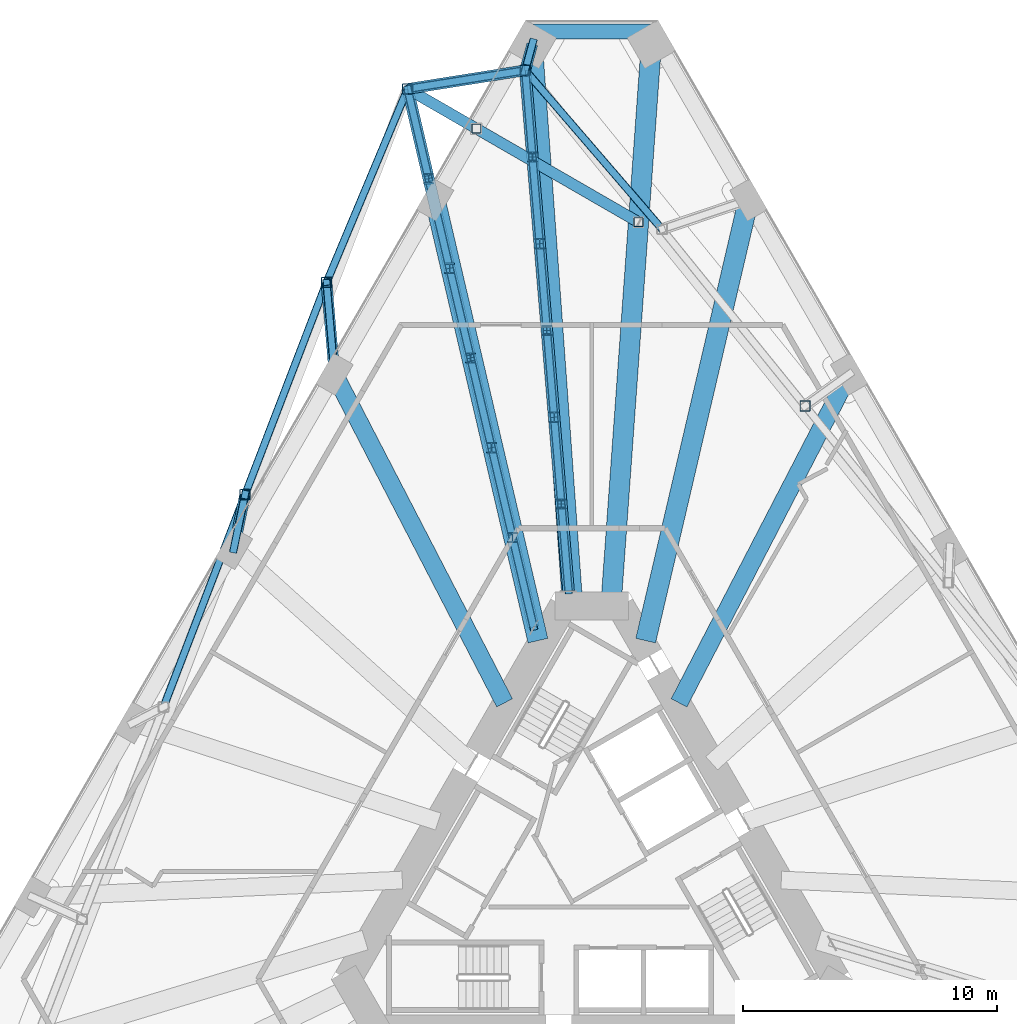
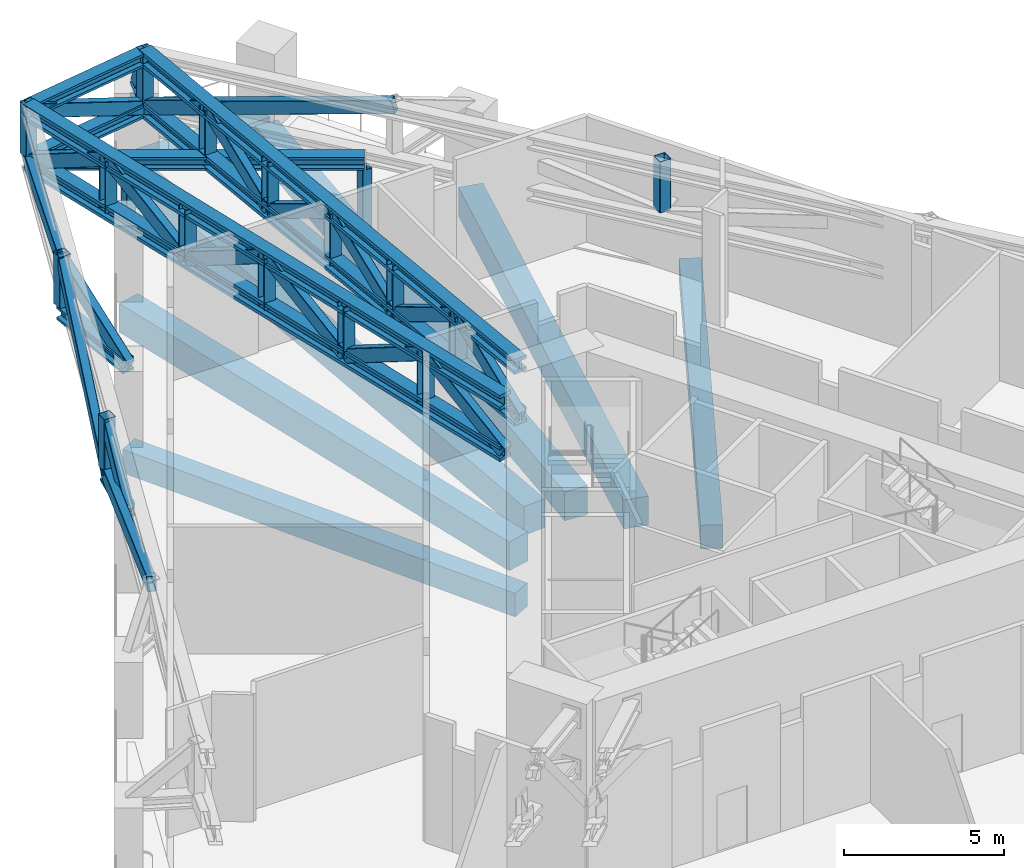
# One storey, part 8 of 20: 47 members, 7 beams.
"""IFC4 building model written with IfcOpenShell, lengths in metres."""

from ifc_helpers import new_model, si_unit, direction, frame, origin, origin_2d, place, context, subcontext, project, spatial, rectangle, hollow_rectangle, i_section, extrude, material, material_profile, profile_set, type_object, element, save


model = new_model("IFC4")

# Units and contexts
model_context = context("Model", 3, precision=1e-05, world=origin(), true_north=direction((0.0, 1.0)))
body_context = subcontext(model_context, "Body", "Model", "MODEL_VIEW")
ifc_project = project(units=[si_unit("LENGTHUNIT", "METRE"), si_unit("AREAUNIT", "SQUARE_METRE"), si_unit("VOLUMEUNIT", "CUBIC_METRE"), si_unit("PLANEANGLEUNIT", "RADIAN"), si_unit("MASSUNIT", "GRAM", prefix="KILO")], contexts=[model_context])

# Site, building, storey
site_placement = place(None, origin())
site = spatial("IfcSite", under=ifc_project, at=site_placement, CompositionType="ELEMENT")
building_placement = place(site_placement, origin())
building = spatial("IfcBuilding", under=site, at=building_placement, Name="Tramontana Tower", CompositionType="ELEMENT")
storey_placement = place(building_placement, frame((0.0, 0.0, 46.0)))
storey = spatial("IfcBuildingStorey", under=building, at=storey_placement, Name="L09", CompositionType="ELEMENT", Elevation=46.0)

# Members
ifc_material_1 = material(Name="Steel ASTM A500 Grade C", Category="steel")
ifc_material_profile_1 = material_profile(ifc_material_1, hollow_rectangle(XDim=0.406494140625, YDim=0.406494140625, WallThickness=0.0146484375, InnerFilletRadius=0.0146484375, OuterFilletRadius=0.029541015625, at=origin_2d()), Name="HSS16X16X5/8")
ifc_profile_set_1 = profile_set([ifc_material_profile_1], Name="Steel ASTM A500 Grade C")
member_type_1 = type_object("IfcMemberType", Name="Belt truss HSS16X16X5/8 post", PredefinedType="POST", material=ifc_profile_set_1)
for number, where, z_axis, x_axis, name in (
    (1, (-7.24755859375, 30.7890625, 2.8984375), (0.0, 0.0, 1.0), (1.0, 0.0, 0.0), "Belt truss post C1K1"),
    (2, (-10.43701171875, 23.177490234375, 2.8984375), (0.0, 0.0, 1.0), (1.0, 0.0, 0.0), "Belt truss post C1F01"),
    (3, (-13.64404296875, 14.822998046875, 2.8984375), (0.0, 0.0, 1.0), (1.0, 0.0, 0.0), "Belt truss post C1F02"),
    (4, (8.395751953125, 18.31396484375, 2.8984375), (0.0, 0.0, 1.0), (1.0, 0.0, 0.0), "Belt truss post C1F14"),
    (5, (-2.62158203125, 31.521728515625, 2.8984375), (0.0, 0.0, 1.0), (1.0, 0.0, 0.0), "Belt truss post C1K6"),
):
    element("IfcMember", number, at=place(storey_placement, frame(where, z_axis=z_axis, x_axis=x_axis)), inside=storey, type_object=member_type_1, Name=name, PredefinedType="POST", context=body_context, shape_type="SweptSolid", body=[
        extrude(hollow_rectangle(XDim=0.406494140625, YDim=0.406494140625, WallThickness=0.0146484375, InnerFilletRadius=0.0146484375, OuterFilletRadius=0.029541015625, at=origin_2d()), origin(), (0.0, 0.0, 1.0), 1.95166015625),
    ])
ifc_material_2 = material(Name="Steel ASTM A500 Grade C", Category="steel")
ifc_material_profile_2 = material_profile(ifc_material_2, hollow_rectangle(XDim=0.3046875, YDim=0.508056640625, WallThickness=0.0146484375, InnerFilletRadius=0.0146484375, OuterFilletRadius=0.029541015625, at=origin_2d()), Name="HSS20X12X5/8")
ifc_profile_set_2 = profile_set([ifc_material_profile_2], Name="Steel ASTM A500 Grade C")
member_type_2 = type_object("IfcMemberType", Name="Belt truss HSS20X12X5/8 brace", PredefinedType="BRACE", material=ifc_profile_set_2)
member_1_placement = place(storey_placement, frame((-7.24755859375, 30.7890625, 2.649169921875), z_axis=(-0.376095872753, -0.897546006187, 0.230137048897), x_axis=(0.922302231451, -0.386469395762, 0.0)))
element("IfcMember", 6, at=member_1_placement, inside=storey, type_object=member_type_2, Name="Belt truss diagonal S0.1", PredefinedType="BRACE", context=body_context, shape_type="SweptSolid", body=[
    extrude(hollow_rectangle(XDim=0.3046875, YDim=0.508056640625, WallThickness=0.0146484375, InnerFilletRadius=0.0146484375, OuterFilletRadius=0.029541015625, at=origin_2d()), origin(), (0.0, 0.0, 1.0), 8.48046875),
])
for number, where, z_axis, x_axis, name in (
    (7, (-10.43701171875, 23.177490234375, 4.600830078125), (-0.350141864286, -0.912138748163, -0.213081155839), (0.933578849976, -0.358372056496, 0.0), "Belt truss diagonal S0.2"),
    (8, (-13.64404296875, 14.822998046875, 2.649169921875), (-0.350141864286, -0.912138748163, 0.213081155839), (0.933578849976, -0.358372056496, 0.0), "Belt truss diagonal S0.3"),
):
    element("IfcMember", number, at=place(storey_placement, frame(where, z_axis=z_axis, x_axis=x_axis)), inside=storey, type_object=member_type_2, Name=name, PredefinedType="BRACE", context=body_context, shape_type="SweptSolid", body=[
        extrude(hollow_rectangle(XDim=0.3046875, YDim=0.508056640625, WallThickness=0.0146484375, InnerFilletRadius=0.0146484375, OuterFilletRadius=0.029541015625, at=origin_2d()), origin(), (0.0, 0.0, 1.0), 9.1591796875),
    ])
member_2_placement = place(storey_placement, frame((2.763916015625, 25.2685546875, 4.600830078125), z_axis=(-0.635063111231, 0.737380274172, -0.230141643374), x_axis=(-0.757719634347, -0.652580229339, 0.0)))
element("IfcMember", 9, at=member_2_placement, inside=storey, type_object=member_type_2, Name="Belt truss diagonal S2.6", PredefinedType="BRACE", context=body_context, shape_type="SweptSolid", body=[
    extrude(hollow_rectangle(XDim=0.3046875, YDim=0.508056640625, WallThickness=0.0146484375, InnerFilletRadius=0.0146484375, OuterFilletRadius=0.029541015625, at=origin_2d()), origin(), (0.0, 0.0, 1.0), 8.480224609375),
])
member_3_placement = place(storey_placement, frame((-2.62158203125, 31.521728515625, 2.649169921875), z_axis=(-0.911702829125, -0.144396252386, 0.384639667301), x_axis=(0.156430988111, -0.98768889128, 0.0)))
element("IfcMember", 10, at=member_3_placement, inside=storey, type_object=member_type_2, Name="Belt truss diagonal K0.1", PredefinedType="BRACE", context=body_context, shape_type="SweptSolid", body=[
    extrude(hollow_rectangle(XDim=0.3046875, YDim=0.508056640625, WallThickness=0.0146484375, InnerFilletRadius=0.0146484375, OuterFilletRadius=0.029541015625, at=origin_2d()), origin(), (0.0, 0.0, 1.0), 5.073974609375),
])
ifc_material_3 = material(Name="Steel ASTM A992 Grade 50", Category="steel")
ifc_material_profile_3 = material_profile(ifc_material_3, i_section(OverallWidth=0.431884765625, OverallDepth=0.49853515625, WebThickness=0.0556640625, FlangeThickness=0.0888671875, FilletRadius=0.01513671875, at=origin_2d()), Name="W14X500")
ifc_profile_set_3 = profile_set([ifc_material_profile_3], Name="Steel ASTM A992 Grade 50")
member_type_3 = type_object("IfcMemberType", Name="Belt truss W14X500 chord", PredefinedType="CHORD", material=ifc_profile_set_3)
for number, where, z_axis, x_axis, name in (
    (11, (-2.62158203125, 31.521728515625, 2.649169921875), (-0.98768889128, -0.156430988111, 0.0), (0.156430988111, -0.98768889128, 0.0), "Belt truss bottom chord K0"),
    (12, (-2.62158203125, 31.521728515625, 4.600830078125), (-0.98768889128, -0.156430988111, 0.0), (0.156430988111, -0.98768889128, 0.0), "Belt truss top chord K0"),
):
    element("IfcMember", number, at=place(storey_placement, frame(where, z_axis=z_axis, x_axis=x_axis)), inside=storey, type_object=member_type_3, Name=name, PredefinedType="CHORD", context=body_context, shape_type="SweptSolid", body=[
        extrude(i_section(OverallWidth=0.431884765625, OverallDepth=0.49853515625, WebThickness=0.0556640625, FlangeThickness=0.0888671875, FilletRadius=0.01513671875, at=origin_2d()), origin(), (0.0, 0.0, 1.0), 4.68359375),
    ])

# Beams
ifc_material_4 = material(Name="Concrete 40 MPa", Category="concrete")
ifc_material_profile_4 = material_profile(ifc_material_4, rectangle(XDim=0.60009765625, YDim=0.35009765625, at=origin_2d()), Name="RC EDGE BEAM 600X350 40 MPa")
ifc_profile_set_4 = profile_set([ifc_material_profile_4], Name="Concrete 40 MPa")
beam_type_1 = type_object("IfcBeamType", Name="RC EDGE BEAM 600X350 40 MPa", PredefinedType="SPANDREL", material=ifc_profile_set_4)
beam_1_placement = place(storey_placement, frame((2.59814453125, 33.050048828125, -0.52490234375), z_axis=(-1.0, 0.0, 0.0), x_axis=(0.0, -1.0, 0.0)))
element("IfcBeam", 13, at=beam_1_placement, inside=storey, type_object=beam_type_1, Name="Spandrel beam K0 L09", PredefinedType="SPANDREL", context=body_context, shape_type="SweptSolid", body=[
    extrude(rectangle(XDim=0.60009765625, YDim=0.35009765625, at=origin_2d()), origin(), (0.0, 0.0, 1.0), 5.1962890625),
])
ifc_material_5 = material(Name="Concrete 40 MPa", Category="concrete")
ifc_material_profile_5 = material_profile(ifc_material_5, rectangle(XDim=0.699951171875, YDim=0.89990234375, at=origin_2d()), Name="RC GIRDER 700X900 40 MPa")
ifc_profile_set_5 = profile_set([ifc_material_profile_5], Name="Concrete 40 MPa")
beam_type_2 = type_object("IfcBeamType", Name="RC GIRDER 700X900 40 MPa", PredefinedType="BEAM", material=ifc_profile_set_5)
for number, where, z_axis, x_axis, name in (
    (14, (-10.126220703125, 19.560791015625, -0.800048828125), (0.459730770714, -0.88805834181, 0.0), (0.88805834181, 0.459730770714, 0.0), "Radial girder C0F02 L09"),
    (15, (10.126220703125, 19.560791015625, -0.800048828125), (-0.459730770714, -0.88805834181, 0.0), (0.88805834181, -0.459730770714, 0.0), "Radial girder C0F17 L09"),
):
    element("IfcBeam", number, at=place(storey_placement, frame(where, z_axis=z_axis, x_axis=x_axis)), inside=storey, type_object=beam_type_2, Name=name, PredefinedType="BEAM", context=body_context, shape_type="SweptSolid", body=[
        extrude(rectangle(XDim=0.699951171875, YDim=0.89990234375, at=origin_2d()), origin(), (0.0, 0.0, 1.0), 14.5615234375),
    ])
ifc_material_6 = material(Name="Concrete 40 MPa", Category="concrete")
ifc_material_profile_6 = material_profile(ifc_material_6, rectangle(XDim=0.800048828125, YDim=1.10009765625, at=origin_2d()), Name="RC GIRDER 800X1100 40 MPa")
ifc_profile_set_6 = profile_set([ifc_material_profile_6], Name="Concrete 40 MPa")
beam_type_3 = type_object("IfcBeamType", Name="RC GIRDER 800X1100 40 MPa", PredefinedType="BEAM", material=ifc_profile_set_6)
beam_2_placement = place(storey_placement, frame((-2.341796875, 32.543701171875, -0.89990234375), z_axis=(0.071767165612, -0.997421412413, 0.0), x_axis=(0.997421412413, 0.071767165612, 0.0)))
element("IfcBeam", 16, at=beam_2_placement, inside=storey, type_object=beam_type_3, Name="Radial girder C0K1 L09", PredefinedType="BEAM", context=body_context, shape_type="SweptSolid", body=[
    extrude(rectangle(XDim=0.800048828125, YDim=1.10009765625, at=origin_2d()), origin(), (0.0, 0.0, 1.0), 22.1494140625),
])
for number, where, z_axis, x_axis, name in (
    (17, (-6.167236328125, 26.41796875, -0.89990234375), (0.227334068495, -0.973816831494, 0.0), (0.973816831494, 0.227334068495, 0.0), "Radial girder C0F01 L09"),
    (18, (6.167236328125, 26.41796875, -0.89990234375), (-0.227334068495, -0.973816831494, 0.0), (0.973816831494, -0.227334068495, 0.0), "Radial girder C0F18 L09"),
):
    element("IfcBeam", number, at=place(storey_placement, frame(where, z_axis=z_axis, x_axis=x_axis)), inside=storey, type_object=beam_type_3, Name=name, PredefinedType="BEAM", context=body_context, shape_type="SweptSolid", body=[
        extrude(rectangle(XDim=0.800048828125, YDim=1.10009765625, at=origin_2d()), origin(), (0.0, 0.0, 1.0), 17.806884765625),
    ])
beam_3_placement = place(storey_placement, frame((2.341796875, 32.543701171875, -0.89990234375), z_axis=(-0.071767165612, -0.997421412413, 0.0), x_axis=(0.997421412413, -0.071767165612, 0.0)))
element("IfcBeam", 19, at=beam_3_placement, inside=storey, type_object=beam_type_3, Name="Radial girder C0K6 L09", PredefinedType="BEAM", context=body_context, shape_type="SweptSolid", body=[
    extrude(rectangle(XDim=0.800048828125, YDim=1.10009765625, at=origin_2d()), origin(), (0.0, 0.0, 1.0), 22.1494140625),
])

# Members
ifc_material_7 = material(Name="Steel ASTM A500 Grade C", Category="steel")
ifc_material_profile_7 = material_profile(ifc_material_7, hollow_rectangle(XDim=0.355712890625, YDim=0.355712890625, WallThickness=0.01171875, InnerFilletRadius=0.01171875, OuterFilletRadius=0.023681640625, at=origin_2d()), Name="HSS14X14X1/2")
ifc_profile_set_7 = profile_set([ifc_material_profile_7], Name="Steel ASTM A500 Grade C")
member_type_4 = type_object("IfcMemberType", Name="Transfer truss HSS14X14X1/2 post", PredefinedType="POST", material=ifc_profile_set_7)
for number, where, z_axis, x_axis, name in (
    (20, (-4.544677734375, 29.228515625, 0.0400390625), (0.0, 0.0, 1.0), (1.0, 0.0, 0.0), "Transfer truss post C1K1.1"),
    (21, (1.838134765625, 25.54345703125, 0.0400390625), (0.0, 0.0, 1.0), (1.0, 0.0, 0.0), "Transfer truss post C1K1.2"),
):
    element("IfcMember", number, at=place(storey_placement, frame(where, z_axis=z_axis, x_axis=x_axis)), inside=storey, type_object=member_type_4, Name=name, PredefinedType="POST", context=body_context, shape_type="SweptSolid", body=[
        extrude(hollow_rectangle(XDim=0.355712890625, YDim=0.355712890625, WallThickness=0.01171875, InnerFilletRadius=0.01171875, OuterFilletRadius=0.023681640625, at=origin_2d()), origin(), (0.0, 0.0, 1.0), 2.35986328125),
    ])
ifc_material_8 = material(Name="Steel ASTM A500 Grade C", Category="steel")
ifc_material_profile_8 = material_profile(ifc_material_8, hollow_rectangle(XDim=0.3046875, YDim=0.508056640625, WallThickness=0.0146484375, InnerFilletRadius=0.0146484375, OuterFilletRadius=0.029541015625, at=origin_2d()), Name="HSS20X12X5/8")
ifc_profile_set_8 = profile_set([ifc_material_profile_8], Name="Steel ASTM A500 Grade C")
member_type_5 = type_object("IfcMemberType", Name="Transfer truss HSS20X12X5/8 brace", PredefinedType="BRACE", material=ifc_profile_set_8)
member_4_placement = place(storey_placement, frame((-10.126220703125, 19.560791015625, 2.649169921875), z_axis=(-0.075408769107, 0.87753771057, 0.47354100569), x_axis=(-0.996328149442, -0.085616695979, 0.0)))
element("IfcMember", 22, at=member_4_placement, inside=storey, type_object=member_type_5, Name="Transfer truss strut C1F01 diagonal", PredefinedType="BRACE", context=body_context, shape_type="SweptSolid", body=[
    extrude(hollow_rectangle(XDim=0.3046875, YDim=0.508056640625, WallThickness=0.0146484375, InnerFilletRadius=0.0146484375, OuterFilletRadius=0.029541015625, at=origin_2d()), origin(), (0.0, 0.0, 1.0), 4.121337890625),
])
member_5_placement = place(storey_placement, frame((-14.085205078125, 12.70361328125, 2.649169921875), z_axis=(0.151358377434, 0.7271400523, 0.669595389711), x_axis=(-0.979015120535, 0.203787619261, 0.0)))
element("IfcMember", 23, at=member_5_placement, inside=storey, type_object=member_type_5, Name="Transfer truss strut C1F02 diagonal", PredefinedType="BRACE", context=body_context, shape_type="SweptSolid", body=[
    extrude(hollow_rectangle(XDim=0.3046875, YDim=0.508056640625, WallThickness=0.0146484375, InnerFilletRadius=0.0146484375, OuterFilletRadius=0.029541015625, at=origin_2d()), origin(), (0.0, 0.0, 1.0), 2.914794921875),
])
member_6_placement = place(storey_placement, frame((-2.341796875, 32.543701171875, 2.649169921875), z_axis=(-0.125987365863, -0.46019468892, 0.878833335697), x_axis=(0.964508140827, -0.26405311261, 0.0)))
element("IfcMember", 24, at=member_6_placement, inside=storey, type_object=member_type_5, Name="Transfer truss strut C1K6 diagonal", PredefinedType="BRACE", context=body_context, shape_type="SweptSolid", body=[
    extrude(hollow_rectangle(XDim=0.3046875, YDim=0.508056640625, WallThickness=0.0146484375, InnerFilletRadius=0.0146484375, OuterFilletRadius=0.029541015625, at=origin_2d()), origin(), (0.0, 0.0, 1.0), 2.220703125),
])
for number, where, z_axis, x_axis, name in (
    (25, (-0.914794921875, 11.0400390625, 2.649169921875), (-0.072145201425, 0.865866271519, 0.495046128918), (-0.996546741258, -0.083033682847, 0.0), "Transfer truss diagonal 5.1"),
    (26, (-1.19921875, 14.45361328125, 4.600830078125), (-0.072145201425, 0.865866271519, -0.495046128918), (-0.996546741258, -0.083033682847, 0.0), "Transfer truss diagonal 5.2"),
):
    element("IfcMember", number, at=place(storey_placement, frame(where, z_axis=z_axis, x_axis=x_axis)), inside=storey, type_object=member_type_5, Name=name, PredefinedType="BRACE", context=body_context, shape_type="SweptSolid", body=[
        extrude(hollow_rectangle(XDim=0.3046875, YDim=0.508056640625, WallThickness=0.0146484375, InnerFilletRadius=0.0146484375, OuterFilletRadius=0.029541015625, at=origin_2d()), origin(), (0.0, 0.0, 1.0), 3.9423828125),
    ])
member_7_placement = place(storey_placement, frame((-1.483642578125, 17.8671875, 2.649169921875), z_axis=(-0.072202934326, 0.865877899379, 0.49501737307), x_axis=(-0.996541333296, -0.083098562156, 0.0)))
element("IfcMember", 27, at=member_7_placement, inside=storey, type_object=member_type_5, Name="Transfer truss diagonal 5.3", PredefinedType="BRACE", context=body_context, shape_type="SweptSolid", body=[
    extrude(hollow_rectangle(XDim=0.3046875, YDim=0.508056640625, WallThickness=0.0146484375, InnerFilletRadius=0.0146484375, OuterFilletRadius=0.029541015625, at=origin_2d()), origin(), (0.0, 0.0, 1.0), 3.942626953125),
])
for number, where, z_axis, x_axis, name in (
    (28, (-1.768310546875, 21.281005859375, 4.600830078125), (-0.072083596127, 0.86587013836, -0.495048339726), (-0.996552636448, -0.082962900073, 0.0), "Transfer truss diagonal 5.4"),
    (29, (-2.052490234375, 24.694580078125, 2.649169921875), (-0.072206805896, 0.86586240141, 0.49504391624), (-0.996540841111, -0.083104464364, 0.0), "Transfer truss diagonal 5.5"),
    (30, (-2.337158203125, 28.108154296875, 4.600830078125), (-0.072145201425, 0.865866271519, -0.495046128918), (-0.996546741258, -0.083033682847, 0.0), "Transfer truss diagonal 5.6"),
):
    element("IfcMember", number, at=place(storey_placement, frame(where, z_axis=z_axis, x_axis=x_axis)), inside=storey, type_object=member_type_5, Name=name, PredefinedType="BRACE", context=body_context, shape_type="SweptSolid", body=[
        extrude(hollow_rectangle(XDim=0.3046875, YDim=0.508056640625, WallThickness=0.0146484375, InnerFilletRadius=0.0146484375, OuterFilletRadius=0.029541015625, at=origin_2d()), origin(), (0.0, 0.0, 1.0), 3.9423828125),
    ])
for number, where, z_axis, x_axis, name in (
    (31, (-2.2919921875, 9.610107421875, 2.649169921875), (-0.200609073564, 0.8573473206, 0.474037521156), (-0.97369994151, -0.227834202665, 0.0), "Transfer truss diagonal 6.1"),
    (32, (-3.117919921875, 13.139892578125, 4.600830078125), (-0.200609073564, 0.8573473206, -0.474037521156), (-0.97369994151, -0.227834202665, 0.0), "Transfer truss diagonal 6.2"),
    (33, (-3.94384765625, 16.669677734375, 2.649169921875), (-0.200609073564, 0.8573473206, 0.474037521156), (-0.97369994151, -0.227834202665, 0.0), "Transfer truss diagonal 6.3"),
):
    element("IfcMember", number, at=place(storey_placement, frame(where, z_axis=z_axis, x_axis=x_axis)), inside=storey, type_object=member_type_5, Name=name, PredefinedType="BRACE", context=body_context, shape_type="SweptSolid", body=[
        extrude(hollow_rectangle(XDim=0.3046875, YDim=0.508056640625, WallThickness=0.0146484375, InnerFilletRadius=0.0146484375, OuterFilletRadius=0.029541015625, at=origin_2d()), origin(), (0.0, 0.0, 1.0), 4.1171875),
    ])
member_8_placement = place(storey_placement, frame((-4.769775390625, 20.199462890625, 4.600830078125), z_axis=(-0.200598875028, 0.857363031046, -0.474013422103), x_axis=(-0.973703437032, -0.22781926326, 0.0)))
element("IfcMember", 34, at=member_8_placement, inside=storey, type_object=member_type_5, Name="Transfer truss diagonal 6.4", PredefinedType="BRACE", context=body_context, shape_type="SweptSolid", body=[
    extrude(hollow_rectangle(XDim=0.3046875, YDim=0.508056640625, WallThickness=0.0146484375, InnerFilletRadius=0.0146484375, OuterFilletRadius=0.029541015625, at=origin_2d()), origin(), (0.0, 0.0, 1.0), 4.117431640625),
])
for number, where, z_axis, x_axis, name in (
    (35, (-5.595703125, 23.7294921875, 2.649169921875), (-0.200609073564, 0.8573473206, 0.474037521156), (-0.97369994151, -0.227834202665, 0.0), "Transfer truss diagonal 6.5"),
    (36, (-6.421630859375, 27.25927734375, 4.600830078125), (-0.200609073564, 0.8573473206, -0.474037521156), (-0.97369994151, -0.227834202665, 0.0), "Transfer truss diagonal 6.6"),
):
    element("IfcMember", number, at=place(storey_placement, frame(where, z_axis=z_axis, x_axis=x_axis)), inside=storey, type_object=member_type_5, Name=name, PredefinedType="BRACE", context=body_context, shape_type="SweptSolid", body=[
        extrude(hollow_rectangle(XDim=0.3046875, YDim=0.508056640625, WallThickness=0.0146484375, InnerFilletRadius=0.0146484375, OuterFilletRadius=0.029541015625, at=origin_2d()), origin(), (0.0, 0.0, 1.0), 4.1171875),
    ])
ifc_material_9 = material(Name="Steel ASTM A992 Grade 50", Category="steel")
ifc_material_profile_9 = material_profile(ifc_material_9, i_section(OverallWidth=0.4033203125, OverallDepth=0.406494140625, WebThickness=0.027099609375, FlangeThickness=0.04443359375, FilletRadius=0.01513671875, at=origin_2d()), Name="W14X233")
ifc_profile_set_9 = profile_set([ifc_material_profile_9], Name="Steel ASTM A992 Grade 50")
member_type_6 = type_object("IfcMemberType", Name="Transfer truss W14X233 post", PredefinedType="POST", material=ifc_profile_set_9)
for number, where, z_axis, x_axis, name in (
    (37, (-1.19921875, 14.45361328125, 2.649169921875), (0.0, 0.0, 1.0), (1.0, 0.0, 0.0), "Transfer truss post 5.1"),
    (38, (-1.483642578125, 17.8671875, 2.649169921875), (0.0, 0.0, 1.0), (1.0, 0.0, 0.0), "Transfer truss post 5.2"),
    (39, (-1.768310546875, 21.281005859375, 2.649169921875), (0.0, 0.0, 1.0), (1.0, 0.0, 0.0), "Transfer truss post 5.3"),
    (40, (-2.052490234375, 24.694580078125, 2.649169921875), (0.0, 0.0, 1.0), (1.0, 0.0, 0.0), "Transfer truss post 5.4"),
    (41, (-2.337158203125, 28.108154296875, 2.649169921875), (0.0, 0.0, 1.0), (1.0, 0.0, 0.0), "Transfer truss post 5.5"),
    (42, (-3.117919921875, 13.139892578125, 2.649169921875), (0.0, 0.0, 1.0), (1.0, 0.0, 0.0), "Transfer truss post 6.1"),
    (43, (-3.94384765625, 16.669677734375, 2.649169921875), (0.0, 0.0, 1.0), (1.0, 0.0, 0.0), "Transfer truss post 6.2"),
    (44, (-4.769775390625, 20.199462890625, 2.649169921875), (0.0, 0.0, 1.0), (1.0, 0.0, 0.0), "Transfer truss post 6.3"),
    (45, (-5.595703125, 23.7294921875, 2.649169921875), (0.0, 0.0, 1.0), (1.0, 0.0, 0.0), "Transfer truss post 6.4"),
    (46, (-6.421630859375, 27.25927734375, 2.649169921875), (0.0, 0.0, 1.0), (1.0, 0.0, 0.0), "Transfer truss post 6.5"),
):
    element("IfcMember", number, at=place(storey_placement, frame(where, z_axis=z_axis, x_axis=x_axis)), inside=storey, type_object=member_type_6, Name=name, PredefinedType="POST", context=body_context, shape_type="SweptSolid", body=[
        extrude(i_section(OverallWidth=0.4033203125, OverallDepth=0.406494140625, WebThickness=0.027099609375, FlangeThickness=0.04443359375, FilletRadius=0.01513671875, at=origin_2d()), origin(), (0.0, 0.0, 1.0), 1.95166015625),
    ])
ifc_material_10 = material(Name="Steel ASTM A992 Grade 50", Category="steel")
ifc_material_profile_10 = material_profile(ifc_material_10, i_section(OverallWidth=0.431884765625, OverallDepth=0.49853515625, WebThickness=0.0556640625, FlangeThickness=0.0888671875, FilletRadius=0.01513671875, at=origin_2d()), Name="W14X500")
ifc_profile_set_10 = profile_set([ifc_material_profile_10], Name="Steel ASTM A992 Grade 50")
member_type_7 = type_object("IfcMemberType", Name="Transfer truss W14X500 chord", PredefinedType="CHORD", material=ifc_profile_set_10)
member_9_placement = place(storey_placement, frame((-7.24755859375, 30.7890625, 2.649169921875), z_axis=(0.866026313376, -0.499998424538, 0.0), x_axis=(0.499998424538, 0.866026313376, 0.0)))
element("IfcMember", 47, at=member_9_placement, inside=storey, type_object=member_type_7, Name="Transfer truss girder C1K1", PredefinedType="CHORD", context=body_context, shape_type="SweptSolid", body=[
    extrude(i_section(OverallWidth=0.431884765625, OverallDepth=0.49853515625, WebThickness=0.0556640625, FlangeThickness=0.0888671875, FilletRadius=0.01513671875, at=origin_2d()), origin(), (0.0, 0.0, 1.0), 10.4912109375),
])
ifc_material_11 = material(Name="Steel ASTM A992 Grade 50", Category="steel")
ifc_material_profile_11 = material_profile(ifc_material_11, i_section(OverallWidth=0.431884765625, OverallDepth=0.49853515625, WebThickness=0.0556640625, FlangeThickness=0.0888671875, FilletRadius=0.01513671875, at=origin_2d()), Name="W14X500")
ifc_profile_set_11 = profile_set([ifc_material_profile_11], Name="Steel ASTM A992 Grade 50")
member_type_8 = type_object("IfcMemberType", Name="Transfer truss W14X500 strut", PredefinedType="STRUT", material=ifc_profile_set_11)
member_10_placement = place(storey_placement, frame((-10.126220703125, 19.560791015625, 2.649169921875), z_axis=(-0.085616695979, 0.996328149442, 0.0), x_axis=(-0.996328149442, -0.085616695979, 0.0)))
element("IfcMember", 48, at=member_10_placement, inside=storey, type_object=member_type_8, Name="Transfer truss strut C1F01 bottom", PredefinedType="STRUT", context=body_context, shape_type="SweptSolid", body=[
    extrude(i_section(OverallWidth=0.431884765625, OverallDepth=0.49853515625, WebThickness=0.0556640625, FlangeThickness=0.0888671875, FilletRadius=0.01513671875, at=origin_2d()), origin(), (0.0, 0.0, 1.0), 3.630126953125),
])
member_11_placement = place(storey_placement, frame((-14.085205078125, 12.70361328125, 2.649169921875), z_axis=(0.203787619261, 0.979015120535, 0.0), x_axis=(-0.979015120535, 0.203787619261, 0.0)))
element("IfcMember", 49, at=member_11_placement, inside=storey, type_object=member_type_8, Name="Transfer truss strut C1F02 bottom", PredefinedType="STRUT", context=body_context, shape_type="SweptSolid", body=[
    extrude(i_section(OverallWidth=0.431884765625, OverallDepth=0.49853515625, WebThickness=0.0556640625, FlangeThickness=0.0888671875, FilletRadius=0.01513671875, at=origin_2d()), origin(), (0.0, 0.0, 1.0), 2.164794921875),
])
member_12_placement = place(storey_placement, frame((-2.341796875, 32.543701171875, 2.649169921875), z_axis=(-0.26405311261, -0.964508140827, 0.0), x_axis=(0.964508140827, -0.26405311261, 0.0)))
element("IfcMember", 50, at=member_12_placement, inside=storey, type_object=member_type_8, Name="Transfer truss strut C1K6 bottom", PredefinedType="STRUT", context=body_context, shape_type="SweptSolid", body=[
    extrude(i_section(OverallWidth=0.431884765625, OverallDepth=0.49853515625, WebThickness=0.0556640625, FlangeThickness=0.0888671875, FilletRadius=0.01513671875, at=origin_2d()), origin(), (0.0, 0.0, 1.0), 1.0595703125),
])
ifc_material_12 = material(Name="Steel ASTM A992 Grade 50", Category="steel")
ifc_material_profile_12 = material_profile(ifc_material_12, i_section(OverallWidth=0.4541015625, OverallDepth=0.568359375, WebThickness=0.077880859375, FlangeThickness=0.12548828125, FilletRadius=0.01513671875, at=origin_2d()), Name="W14X730")
ifc_profile_set_12 = profile_set([ifc_material_profile_12], Name="Steel ASTM A992 Grade 50")
member_type_9 = type_object("IfcMemberType", Name="Transfer truss W14X730 chord", PredefinedType="CHORD", material=ifc_profile_set_12)
for number, where, z_axis, x_axis, name in (
    (51, (-0.914794921875, 11.0400390625, 2.649169921875), (-0.083044496783, 0.996545840167, 0.0), (-0.996545840167, -0.083044496783, 0.0), "Transfer truss bottom chord 5"),
    (52, (-0.914794921875, 11.0400390625, 4.600830078125), (-0.083044496783, 0.996545840167, 0.0), (-0.996545840167, -0.083044496783, 0.0), "Transfer truss top chord 5"),
):
    element("IfcMember", number, at=place(storey_placement, frame(where, z_axis=z_axis, x_axis=x_axis)), inside=storey, type_object=member_type_9, Name=name, PredefinedType="CHORD", context=body_context, shape_type="SweptSolid", body=[
        extrude(i_section(OverallWidth=0.4541015625, OverallDepth=0.568359375, WebThickness=0.077880859375, FlangeThickness=0.12548828125, FilletRadius=0.01513671875, at=origin_2d()), origin(), (0.0, 0.0, 1.0), 20.552734375),
    ])
for number, where, z_axis, x_axis, name in (
    (53, (-2.2919921875, 9.610107421875, 2.649169921875), (-0.227831712632, 0.973700524145, 0.0), (-0.973700524145, -0.227831712632, 0.0), "Transfer truss bottom chord 6"),
    (54, (-2.2919921875, 9.610107421875, 4.600830078125), (-0.227831712632, 0.973700524145, 0.0), (-0.973700524145, -0.227831712632, 0.0), "Transfer truss top chord 6"),
):
    element("IfcMember", number, at=place(storey_placement, frame(where, z_axis=z_axis, x_axis=x_axis)), inside=storey, type_object=member_type_9, Name=name, PredefinedType="CHORD", context=body_context, shape_type="SweptSolid", body=[
        extrude(i_section(OverallWidth=0.4541015625, OverallDepth=0.568359375, WebThickness=0.077880859375, FlangeThickness=0.12548828125, FilletRadius=0.01513671875, at=origin_2d()), origin(), (0.0, 0.0, 1.0), 21.7509765625),
    ])

save(model, "model.ifc")
